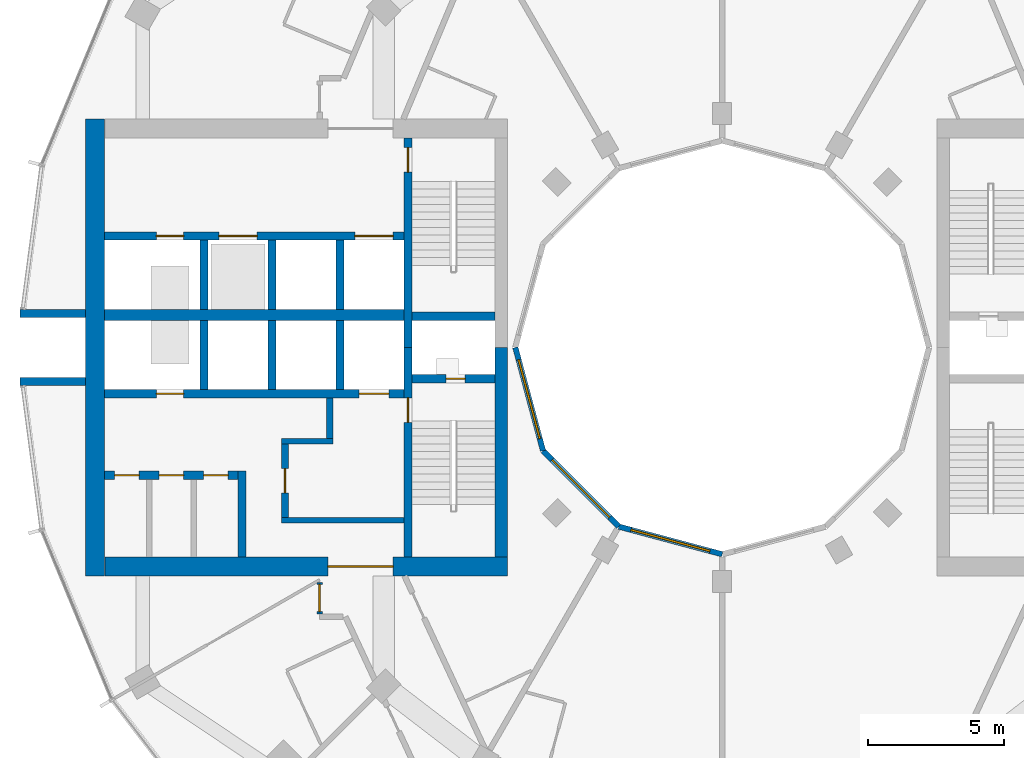
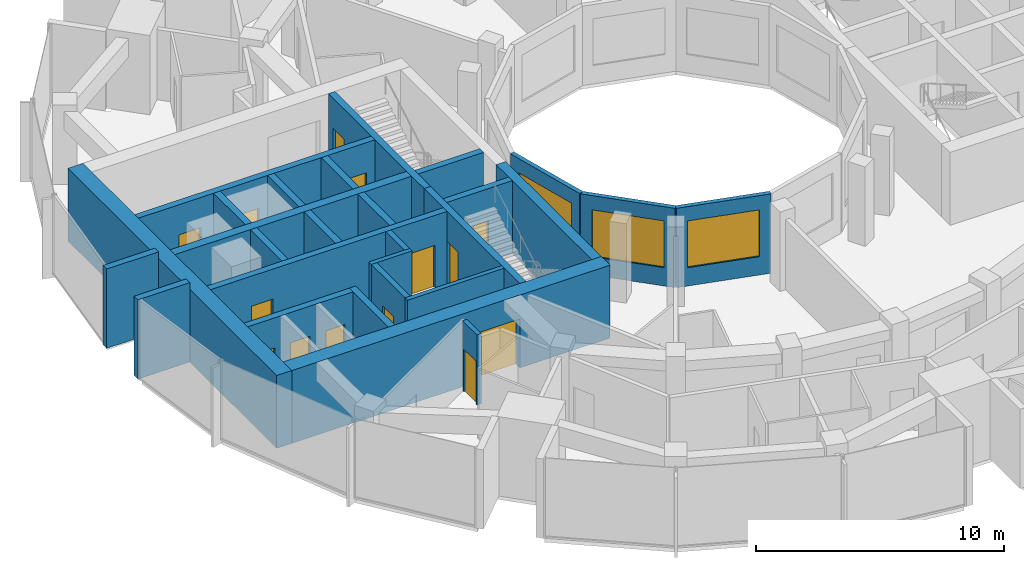
# One storey, part 9 of 15: 28 walls, 14 doors, 3 windows, 17 openings.
"""IFC4 building model written with IfcOpenShell, lengths in metres."""

from ifc_helpers import new_model, si_unit, direction, frame, frame_2d, origin, place, context, subcontext, project, spatial, rectangle, extrude, material, layer, layer_set, type_object, element, fill, save


model = new_model("IFC4")

# Units and contexts
model_context = context("Model", 3, precision=1e-05, world=origin(), true_north=direction((0.0, 1.0)))
body_context = subcontext(model_context, "Body", "Model", "MODEL_VIEW")
ifc_project = project(units=[si_unit("LENGTHUNIT", "METRE"), si_unit("AREAUNIT", "SQUARE_METRE"), si_unit("VOLUMEUNIT", "CUBIC_METRE"), si_unit("PLANEANGLEUNIT", "RADIAN"), si_unit("MASSUNIT", "GRAM", prefix="KILO")], contexts=[model_context])

# Site, building, storey
site_placement = place(None, origin())
site = spatial("IfcSite", under=ifc_project, at=site_placement, CompositionType="ELEMENT")
building_placement = place(site_placement, origin())
building = spatial("IfcBuilding", under=site, at=building_placement, Name="Torre Brocal", CompositionType="ELEMENT")
storey_placement = place(building_placement, frame((0.0, 0.0, 126.300048828125)))
storey = spatial("IfcBuildingStorey", under=building, at=storey_placement, Name="L29", CompositionType="ELEMENT", Elevation=126.300048828125)

# Walls
ifc_material_1 = material(Name="Concrete C70", Category="concrete")
ifc_layer_1 = layer(ifc_material_1, 0.199951171875)
ifc_layer_set_1 = layer_set([ifc_layer_1], Name="Concrete C70")
wall_type_1 = type_object("IfcWallType", Name="CORE WALL 200 C70", PredefinedType="SHEAR", material=ifc_layer_set_1)
wall_1_placement = place(storey_placement, frame((68.300048828125, 68.64990234375, 0.0), z_axis=(0.0, 0.0, 1.0), x_axis=(-1.0, 0.0, 0.0)))
element("IfcWall", 1, at=wall_1_placement, inside=storey, type_object=wall_type_1, Name="Wall CW200-70", PredefinedType="SHEAR", context=body_context, shape_type="SweptSolid", body=[
    extrude(rectangle(XDim=4.5, YDim=0.199951171875, at=frame_2d((2.25, 0.0))), origin(), (0.0, 0.0, 1.0), 3.579833984375),
])
wall_2_placement = place(storey_placement, frame((65.699951171875, 71.550048828125, 0.0), z_axis=(0.0, 0.0, 1.0), x_axis=(-1.0, 0.0, 0.0)))
element("IfcWall", 2, at=wall_2_placement, inside=storey, type_object=wall_type_1, Name="Wall CW200-70", PredefinedType="SHEAR", context=body_context, shape_type="SweptSolid", body=[
    extrude(rectangle(XDim=1.89990234375, YDim=0.199951171875, at=frame_2d((0.949951171875, 0.0))), origin(), (0.0, 0.0, 1.0), 3.579833984375),
])

# Wall, opening, door
ifc_material_2 = material(Name="Concrete C70", Category="concrete")
ifc_layer_2 = layer(ifc_material_2, 0.25)
ifc_layer_set_2 = layer_set([ifc_layer_2], Name="Concrete C70")
wall_type_2 = type_object("IfcWallType", Name="CORE WALL 250 C70", PredefinedType="SHEAR", material=ifc_layer_set_2)
wall_3_placement = place(storey_placement, frame((63.925048828125, 71.449951171875, 0.0), z_axis=(0.0, 0.0, 1.0), x_axis=(0.0, -1.0, 0.0)))
wall_3 = element("IfcWall", 3, at=wall_3_placement, inside=storey, type_object=wall_type_2, Name="Wall CW250-70", PredefinedType="SHEAR", context=body_context, shape_type="SweptSolid", body=[
    extrude(rectangle(XDim=2.699951171875, YDim=0.25, at=frame_2d((1.35009765625, 0.0))), origin(), (0.0, 0.0, 1.0), 3.579833984375),
])
opening_1_placement = place(wall_3_placement, frame((0.89990234375, 0.0, 0.0)))
opening_1 = element("IfcOpeningElement", 4, at=opening_1_placement, cuts=wall_3, Name="Opening W-D15", PredefinedType="OPENING", context=body_context, shape_type="SweptSolid", body=[
    extrude(rectangle(XDim=0.89990234375, YDim=2.10009765625, at=frame_2d((0.449951171875, 1.050048828125))), frame((0.0, 0.135009765625, 0.0), z_axis=(0.0, -1.0, 0.0), x_axis=(1.0, 0.0, 0.0)), (0.0, 0.0, 1.0), 0.27001953125),
])
ifc_material_3 = material(Name="Steel A653", Category="steel")
door_type_1 = type_object("IfcDoorType", Name="LOBBY DOOR FD120 900X2100", OperationType="SINGLE_SWING_RIGHT", PredefinedType="DOOR", material=ifc_material_3)
door_1_placement = place(opening_1_placement, origin())
door_1 = element("IfcDoor", 5, at=door_1_placement, inside=storey, type_object=door_type_1, Name="Door W-D15", OperationType="SINGLE_SWING_LEFT", OverallHeight=2.10009765625, OverallWidth=0.89990234375, PredefinedType="DOOR", context=body_context, shape_type="SweptSolid", body=[
    extrude(rectangle(XDim=0.89990234375, YDim=2.10009765625, at=frame_2d((0.449951171875, 1.050048828125))), frame((0.0, 0.02490234375, 0.0), z_axis=(0.0, -1.0, 0.0), x_axis=(1.0, 0.0, 0.0)), (0.0, 0.0, 1.0), 0.050048828125),
])
fill(opening_1, door_1)

# Wall
wall_4_placement = place(storey_placement, frame((65.574951171875, 73.14990234375, 0.0), z_axis=(0.0, 0.0, 1.0), x_axis=(0.0, -1.0, 0.0)))
element("IfcWall", 6, at=wall_4_placement, inside=storey, type_object=wall_type_2, Name="Wall CW250-70", PredefinedType="SHEAR", context=body_context, shape_type="SweptSolid", body=[
    extrude(rectangle(XDim=1.5, YDim=0.25, at=frame_2d((0.75, 0.0))), origin(), (0.0, 0.0, 1.0), 3.579833984375),
])

# Wall, opening, door
ifc_material_4 = material(Name="Concrete C70", Category="concrete")
ifc_layer_3 = layer(ifc_material_4, 0.300048828125)
ifc_layer_set_3 = layer_set([ifc_layer_3], Name="Concrete C70")
wall_type_3 = type_object("IfcWallType", Name="CORE WALL 300 C70", PredefinedType="SHEAR", material=ifc_layer_set_3)
wall_5_placement = place(storey_placement, frame((68.449951171875, 75.0, 0.0), z_axis=(0.0, 0.0, 1.0), x_axis=(0.0, -1.0, 0.0)))
wall_5 = element("IfcWall", 7, at=wall_5_placement, inside=storey, type_object=wall_type_3, Name="Wall CW300-70", PredefinedType="SHEAR", context=body_context, shape_type="SweptSolid", body=[
    extrude(rectangle(XDim=7.699951171875, YDim=0.300048828125, at=frame_2d((3.85009765625, 0.0))), origin(), (0.0, 0.0, 1.0), 3.579833984375),
])
opening_2_placement = place(wall_5_placement, frame((1.85009765625, 0.0, 0.0)))
opening_2 = element("IfcOpeningElement", 8, at=opening_2_placement, cuts=wall_5, Name="Opening W-D02", PredefinedType="OPENING", context=body_context, shape_type="SweptSolid", body=[
    extrude(rectangle(XDim=0.89990234375, YDim=2.10009765625, at=frame_2d((0.449951171875, 1.050048828125))), frame((0.0, 0.159912109375, 0.0), z_axis=(0.0, -1.0, 0.0), x_axis=(1.0, 0.0, 0.0)), (0.0, 0.0, 1.0), 0.320068359375),
])
ifc_material_5 = material(Name="Steel A653", Category="steel")
door_type_2 = type_object("IfcDoorType", Name="STAIR DOOR FD120 900X2100", OperationType="SINGLE_SWING_RIGHT", PredefinedType="DOOR", material=ifc_material_5)
door_2_placement = place(opening_2_placement, origin())
door_2 = element("IfcDoor", 9, at=door_2_placement, inside=storey, type_object=door_type_2, Name="Door W-D02", OperationType="SINGLE_SWING_LEFT", OverallHeight=2.10009765625, OverallWidth=0.89990234375, PredefinedType="DOOR", context=body_context, shape_type="SweptSolid", body=[
    extrude(rectangle(XDim=0.89990234375, YDim=2.10009765625, at=frame_2d((0.449951171875, 1.050048828125))), frame((0.0, 0.02490234375, 0.0), z_axis=(0.0, -1.0, 0.0), x_axis=(1.0, 0.0, 0.0)), (0.0, 0.0, 1.0), 0.050048828125),
])
fill(opening_2, door_2)

wall_6_placement = place(storey_placement, frame((68.449951171875, 82.699951171875, 0.0), z_axis=(0.0, 0.0, 1.0), x_axis=(0.0, -1.0, 0.0)))
wall_6 = element("IfcWall", 10, at=wall_6_placement, inside=storey, type_object=wall_type_3, Name="Wall CW300-70", PredefinedType="SHEAR", context=body_context, shape_type="SweptSolid", body=[
    extrude(rectangle(XDim=7.699951171875, YDim=0.300048828125, at=frame_2d((3.85009765625, 0.0))), origin(), (0.0, 0.0, 1.0), 3.579833984375),
])
opening_3_placement = place(wall_6_placement, frame((0.35009765625, 0.0, 0.0)))
opening_3 = element("IfcOpeningElement", 11, at=opening_3_placement, cuts=wall_6, Name="Opening W-D03", PredefinedType="OPENING", context=body_context, shape_type="SweptSolid", body=[
    extrude(rectangle(XDim=0.89990234375, YDim=2.10009765625, at=frame_2d((0.449951171875, 1.050048828125))), frame((0.0, 0.159912109375, 0.0), z_axis=(0.0, -1.0, 0.0), x_axis=(1.0, 0.0, 0.0)), (0.0, 0.0, 1.0), 0.320068359375),
])
door_3_placement = place(opening_3_placement, origin())
door_3 = element("IfcDoor", 12, at=door_3_placement, inside=storey, type_object=door_type_2, Name="Door W-D03", OperationType="SINGLE_SWING_LEFT", OverallHeight=2.10009765625, OverallWidth=0.89990234375, PredefinedType="DOOR", context=body_context, shape_type="SweptSolid", body=[
    extrude(rectangle(XDim=0.89990234375, YDim=2.10009765625, at=frame_2d((0.449951171875, 1.050048828125))), frame((0.0, 0.02490234375, 0.0), z_axis=(0.0, -1.0, 0.0), x_axis=(1.0, 0.0, 0.0)), (0.0, 0.0, 1.0), 0.050048828125),
])
fill(opening_3, door_3)

wall_7_placement = place(storey_placement, frame((71.64990234375, 73.85009765625, 0.0), z_axis=(0.0, 0.0, 1.0), x_axis=(-1.0, 0.0, 0.0)))
wall_7 = element("IfcWall", 13, at=wall_7_placement, inside=storey, type_object=wall_type_3, Name="Wall CW300-70", PredefinedType="SHEAR", context=body_context, shape_type="SweptSolid", body=[
    extrude(rectangle(XDim=3.0498046875, YDim=0.300048828125, at=frame_2d((1.52490234375, 0.0))), origin(), (0.0, 0.0, 1.0), 3.579833984375),
])
opening_4_placement = place(wall_7_placement, frame((1.10009765625, 0.0, 0.0)))
opening_4 = element("IfcOpeningElement", 14, at=opening_4_placement, cuts=wall_7, Name="Opening W-D01", PredefinedType="OPENING", context=body_context, shape_type="SweptSolid", body=[
    extrude(rectangle(XDim=0.699951171875, YDim=2.0, at=frame_2d((0.35009765625, 1.0))), frame((0.0, 0.159912109375, 0.0), z_axis=(0.0, -1.0, 0.0), x_axis=(1.0, 0.0, 0.0)), (0.0, 0.0, 1.0), 0.320068359375),
])
ifc_material_6 = material(Name="Steel A653", Category="steel")
door_type_3 = type_object("IfcDoorType", Name="RISER DOOR FD120 700X2000", OperationType="SINGLE_SWING_LEFT", PredefinedType="DOOR", material=ifc_material_6)
door_4_placement = place(opening_4_placement, frame((0.699951171875, 0.0, 0.0), z_axis=(0.0, 0.0, 1.0), x_axis=(-1.0, 0.0, 0.0)))
door_4 = element("IfcDoor", 15, at=door_4_placement, inside=storey, type_object=door_type_3, Name="Door W-D01", OperationType="SINGLE_SWING_RIGHT", OverallHeight=2.0, OverallWidth=0.699951171875, PredefinedType="DOOR", context=body_context, shape_type="SweptSolid", body=[
    extrude(rectangle(XDim=0.699951171875, YDim=2.0, at=frame_2d((0.35009765625, 1.0))), frame((0.0, 0.02490234375, 0.0), z_axis=(0.0, -1.0, 0.0), x_axis=(1.0, 0.0, 0.0)), (0.0, 0.0, 1.0), 0.050048828125),
])
fill(opening_4, door_4)

# Wall
wall_8_placement = place(storey_placement, frame((71.64990234375, 76.14990234375, 0.0), z_axis=(0.0, 0.0, 1.0), x_axis=(-1.0, 0.0, 0.0)))
element("IfcWall", 16, at=wall_8_placement, inside=storey, type_object=wall_type_3, Name="Wall CW300-70", PredefinedType="SHEAR", context=body_context, shape_type="SweptSolid", body=[
    extrude(rectangle(XDim=3.0498046875, YDim=0.300048828125, at=frame_2d((1.52490234375, 0.0))), origin(), (0.0, 0.0, 1.0), 3.579833984375),
])

# Wall, openings, doors
wall_9_placement = place(storey_placement, frame((68.300048828125, 73.300048828125, 0.0), z_axis=(0.0, 0.0, 1.0), x_axis=(-1.0, 0.0, 0.0)))
wall_9 = element("IfcWall", 17, at=wall_9_placement, inside=storey, type_object=wall_type_3, Name="Wall CW300-70", PredefinedType="SHEAR", context=body_context, shape_type="SweptSolid", body=[
    extrude(rectangle(XDim=11.0, YDim=0.300048828125, at=frame_2d((5.5, 0.0))), origin(), (0.0, 0.0, 1.0), 3.579833984375),
])
opening_5_placement = place(wall_9_placement, frame((0.550048828125, 0.0, 0.0)))
opening_5 = element("IfcOpeningElement", 18, at=opening_5_placement, cuts=wall_9, Name="Opening LD", PredefinedType="OPENING", context=body_context, shape_type="SweptSolid", body=[
    extrude(rectangle(XDim=1.10009765625, YDim=2.10009765625, at=frame_2d((0.550048828125, 1.050048828125))), frame((0.0, 0.159912109375, 0.0), z_axis=(0.0, -1.0, 0.0), x_axis=(1.0, 0.0, 0.0)), (0.0, 0.0, 1.0), 0.320068359375),
])
opening_6_placement = place(wall_9_placement, frame((8.10009765625, 0.0, 0.0)))
opening_6 = element("IfcOpeningElement", 19, at=opening_6_placement, cuts=wall_9, Name="Opening LD10", PredefinedType="OPENING", context=body_context, shape_type="SweptSolid", body=[
    extrude(rectangle(XDim=1.0, YDim=2.10009765625, at=frame_2d((0.5, 1.050048828125))), frame((0.0, 0.159912109375, 0.0), z_axis=(0.0, -1.0, 0.0), x_axis=(1.0, 0.0, 0.0)), (0.0, 0.0, 1.0), 0.320068359375),
])
ifc_material_7 = material(Name="Stainless steel AISI 316", Category="steel")
door_type_4 = type_object("IfcDoorType", Name="LIFT LANDING DOOR 1000X2100", OperationType="DOUBLE_DOOR_SLIDING", PredefinedType="DOOR", material=ifc_material_7)
door_5_placement = place(opening_6_placement, origin())
door_5 = element("IfcDoor", 20, at=door_5_placement, inside=storey, type_object=door_type_4, Name="Door LD10", OperationType="DOUBLE_DOOR_SLIDING", OverallHeight=2.10009765625, OverallWidth=1.0, PredefinedType="DOOR", context=body_context, shape_type="SweptSolid", body=[
    extrude(rectangle(XDim=1.0, YDim=2.10009765625, at=frame_2d((0.5, 1.050048828125))), frame((0.0, 0.02490234375, 0.0), z_axis=(0.0, -1.0, 0.0), x_axis=(1.0, 0.0, 0.0)), (0.0, 0.0, 1.0), 0.050048828125),
])
fill(opening_6, door_5)
ifc_material_8 = material(Name="Stainless steel AISI 316", Category="steel")
door_type_5 = type_object("IfcDoorType", Name="LIFT LANDING DOOR 1100X2100", OperationType="DOUBLE_DOOR_SLIDING", PredefinedType="DOOR", material=ifc_material_8)
door_6_placement = place(opening_5_placement, origin())
door_6 = element("IfcDoor", 21, at=door_6_placement, inside=storey, type_object=door_type_5, Name="Door LD", OperationType="DOUBLE_DOOR_SLIDING", OverallHeight=2.10009765625, OverallWidth=1.10009765625, PredefinedType="DOOR", context=body_context, shape_type="SweptSolid", body=[
    extrude(rectangle(XDim=1.10009765625, YDim=2.10009765625, at=frame_2d((0.550048828125, 1.050048828125))), frame((0.0, 0.02490234375, 0.0), z_axis=(0.0, -1.0, 0.0), x_axis=(1.0, 0.0, 0.0)), (0.0, 0.0, 1.0), 0.050048828125),
])
fill(opening_5, door_6)

wall_10_placement = place(storey_placement, frame((68.300048828125, 79.10009765625, 0.0), z_axis=(0.0, 0.0, 1.0), x_axis=(-1.0, 0.0, 0.0)))
wall_10 = element("IfcWall", 22, at=wall_10_placement, inside=storey, type_object=wall_type_3, Name="Wall CW300-70", PredefinedType="SHEAR", context=body_context, shape_type="SweptSolid", body=[
    extrude(rectangle(XDim=11.0, YDim=0.300048828125, at=frame_2d((5.5, 0.0))), origin(), (0.0, 0.0, 1.0), 3.579833984375),
])
opening_7_placement = place(wall_10_placement, frame((0.39990234375, 0.0, 0.0)))
opening_7 = element("IfcOpeningElement", 23, at=opening_7_placement, cuts=wall_10, Name="Opening LD14", PredefinedType="OPENING", context=body_context, shape_type="SweptSolid", body=[
    extrude(rectangle(XDim=1.39990234375, YDim=2.10009765625, at=frame_2d((0.699951171875, 1.050048828125))), frame((0.0, 0.159912109375, 0.0), z_axis=(0.0, -1.0, 0.0), x_axis=(1.0, 0.0, 0.0)), (0.0, 0.0, 1.0), 0.320068359375),
])
opening_8_placement = place(wall_10_placement, frame((5.39990234375, 0.0, 0.0)))
opening_8 = element("IfcOpeningElement", 24, at=opening_8_placement, cuts=wall_10, Name="Opening LD14", PredefinedType="OPENING", context=body_context, shape_type="SweptSolid", body=[
    extrude(rectangle(XDim=1.39990234375, YDim=2.10009765625, at=frame_2d((0.699951171875, 1.050048828125))), frame((0.0, 0.159912109375, 0.0), z_axis=(0.0, -1.0, 0.0), x_axis=(1.0, 0.0, 0.0)), (0.0, 0.0, 1.0), 0.320068359375),
])
opening_9_placement = place(wall_10_placement, frame((8.10009765625, 0.0, 0.0)))
opening_9 = element("IfcOpeningElement", 25, at=opening_9_placement, cuts=wall_10, Name="Opening LD10", PredefinedType="OPENING", context=body_context, shape_type="SweptSolid", body=[
    extrude(rectangle(XDim=1.0, YDim=2.10009765625, at=frame_2d((0.5, 1.050048828125))), frame((0.0, 0.159912109375, 0.0), z_axis=(0.0, -1.0, 0.0), x_axis=(1.0, 0.0, 0.0)), (0.0, 0.0, 1.0), 0.320068359375),
])
door_7_placement = place(opening_9_placement, origin())
door_7 = element("IfcDoor", 26, at=door_7_placement, inside=storey, type_object=door_type_4, Name="Door LD10", OperationType="DOUBLE_DOOR_SLIDING", OverallHeight=2.10009765625, OverallWidth=1.0, PredefinedType="DOOR", context=body_context, shape_type="SweptSolid", body=[
    extrude(rectangle(XDim=1.0, YDim=2.10009765625, at=frame_2d((0.5, 1.050048828125))), frame((0.0, 0.02490234375, 0.0), z_axis=(0.0, -1.0, 0.0), x_axis=(1.0, 0.0, 0.0)), (0.0, 0.0, 1.0), 0.050048828125),
])
fill(opening_9, door_7)
ifc_material_9 = material(Name="Stainless steel AISI 316", Category="steel")
door_type_6 = type_object("IfcDoorType", Name="LIFT LANDING DOOR 1400X2100", OperationType="DOUBLE_DOOR_SLIDING", PredefinedType="DOOR", material=ifc_material_9)
door_8_placement = place(opening_7_placement, origin())
door_8 = element("IfcDoor", 27, at=door_8_placement, inside=storey, type_object=door_type_6, Name="Door LD14", OperationType="DOUBLE_DOOR_SLIDING", OverallHeight=2.10009765625, OverallWidth=1.39990234375, PredefinedType="DOOR", context=body_context, shape_type="SweptSolid", body=[
    extrude(rectangle(XDim=1.39990234375, YDim=2.10009765625, at=frame_2d((0.699951171875, 1.050048828125))), frame((0.0, 0.02490234375, 0.0), z_axis=(0.0, -1.0, 0.0), x_axis=(1.0, 0.0, 0.0)), (0.0, 0.0, 1.0), 0.050048828125),
])
fill(opening_7, door_8)
door_9_placement = place(opening_8_placement, origin())
door_9 = element("IfcDoor", 28, at=door_9_placement, inside=storey, type_object=door_type_6, Name="Door LD14", OperationType="DOUBLE_DOOR_SLIDING", OverallHeight=2.10009765625, OverallWidth=1.39990234375, PredefinedType="DOOR", context=body_context, shape_type="SweptSolid", body=[
    extrude(rectangle(XDim=1.39990234375, YDim=2.10009765625, at=frame_2d((0.699951171875, 1.050048828125))), frame((0.0, 0.02490234375, 0.0), z_axis=(0.0, -1.0, 0.0), x_axis=(1.0, 0.0, 0.0)), (0.0, 0.0, 1.0), 0.050048828125),
])
fill(opening_8, door_9)

# Walls
for number, where, z_axis, x_axis, name in (
    (29, (65.949951171875, 76.0, 0.0), (0.0, 0.0, 1.0), (0.0, -1.0, 0.0), "Wall CW300-70"),
    (30, (63.449951171875, 76.0, 0.0), (0.0, 0.0, 1.0), (0.0, -1.0, 0.0), "Wall CW300-70"),
    (31, (60.949951171875, 76.0, 0.0), (0.0, 0.0, 1.0), (0.0, -1.0, 0.0), "Wall CW300-70"),
    (32, (65.949951171875, 78.949951171875, 0.0), (0.0, 0.0, 1.0), (0.0, -1.0, 0.0), "Wall CW300-70"),
    (33, (63.449951171875, 78.949951171875, 0.0), (0.0, 0.0, 1.0), (0.0, -1.0, 0.0), "Wall CW300-70"),
    (34, (60.949951171875, 78.949951171875, 0.0), (0.0, 0.0, 1.0), (0.0, -1.0, 0.0), "Wall CW300-70"),
):
    element("IfcWall", number, at=place(storey_placement, frame(where, z_axis=z_axis, x_axis=x_axis)), inside=storey, type_object=wall_type_3, Name=name, PredefinedType="SHEAR", context=body_context, shape_type="SweptSolid", body=[
        extrude(rectangle(XDim=2.550048828125, YDim=0.300048828125, at=frame_2d((1.27490234375, 0.0))), origin(), (0.0, 0.0, 1.0), 3.579833984375),
    ])
wall_11_placement = place(storey_placement, frame((62.35009765625, 70.449951171875, 0.0), z_axis=(0.0, 0.0, 1.0), x_axis=(0.0, -1.0, 0.0)))
element("IfcWall", 35, at=wall_11_placement, inside=storey, type_object=wall_type_3, Name="Wall CW300-70", PredefinedType="SHEAR", context=body_context, shape_type="SweptSolid", body=[
    extrude(rectangle(XDim=3.14990234375, YDim=0.300048828125, at=frame_2d((1.574951171875, 0.0))), origin(), (0.0, 0.0, 1.0), 3.579833984375),
])

# Wall, openings, doors
wall_12_placement = place(storey_placement, frame((62.199951171875, 70.300048828125, 0.0), z_axis=(0.0, 0.0, 1.0), x_axis=(-1.0, 0.0, 0.0)))
wall_12 = element("IfcWall", 36, at=wall_12_placement, inside=storey, type_object=wall_type_3, Name="Wall CW300-70", PredefinedType="SHEAR", context=body_context, shape_type="SweptSolid", body=[
    extrude(rectangle(XDim=4.89990234375, YDim=0.300048828125, at=frame_2d((2.449951171875, 0.0))), origin(), (0.0, 0.0, 1.0), 3.579833984375),
])
opening_10_placement = place(wall_12_placement, frame((0.36669921875, 0.0, 0.0)))
opening_10 = element("IfcOpeningElement", 37, at=opening_10_placement, cuts=wall_12, Name="Opening W-D05", PredefinedType="OPENING", context=body_context, shape_type="SweptSolid", body=[
    extrude(rectangle(XDim=0.89990234375, YDim=2.10009765625, at=frame_2d((0.449951171875, 1.050048828125))), frame((0.0, 0.159912109375, 0.0), z_axis=(0.0, -1.0, 0.0), x_axis=(1.0, 0.0, 0.0)), (0.0, 0.0, 1.0), 0.320068359375),
])
opening_11_placement = place(wall_12_placement, frame((2.0, 0.0, 0.0)))
opening_11 = element("IfcOpeningElement", 38, at=opening_11_placement, cuts=wall_12, Name="Opening W-D06", PredefinedType="OPENING", context=body_context, shape_type="SweptSolid", body=[
    extrude(rectangle(XDim=0.89990234375, YDim=2.10009765625, at=frame_2d((0.449951171875, 1.050048828125))), frame((0.0, 0.159912109375, 0.0), z_axis=(0.0, -1.0, 0.0), x_axis=(1.0, 0.0, 0.0)), (0.0, 0.0, 1.0), 0.320068359375),
])
opening_12_placement = place(wall_12_placement, frame((3.63330078125, 0.0, 0.0)))
opening_12 = element("IfcOpeningElement", 39, at=opening_12_placement, cuts=wall_12, Name="Opening W-D07", PredefinedType="OPENING", context=body_context, shape_type="SweptSolid", body=[
    extrude(rectangle(XDim=0.89990234375, YDim=2.10009765625, at=frame_2d((0.449951171875, 1.050048828125))), frame((0.0, 0.159912109375, 0.0), z_axis=(0.0, -1.0, 0.0), x_axis=(1.0, 0.0, 0.0)), (0.0, 0.0, 1.0), 0.320068359375),
])
ifc_material_10 = material(Name="Steel A653", Category="steel")
door_type_7 = type_object("IfcDoorType", Name="ROOM DOOR FD30S 900X2100", OperationType="SINGLE_SWING_LEFT", PredefinedType="DOOR", material=ifc_material_10)
door_10_placement = place(opening_10_placement, origin())
door_10 = element("IfcDoor", 40, at=door_10_placement, inside=storey, type_object=door_type_7, Name="Door W-D05", OperationType="SINGLE_SWING_RIGHT", OverallHeight=2.10009765625, OverallWidth=0.89990234375, PredefinedType="DOOR", context=body_context, shape_type="SweptSolid", body=[
    extrude(rectangle(XDim=0.89990234375, YDim=2.10009765625, at=frame_2d((0.449951171875, 1.050048828125))), frame((0.0, 0.02490234375, 0.0), z_axis=(0.0, -1.0, 0.0), x_axis=(1.0, 0.0, 0.0)), (0.0, 0.0, 1.0), 0.050048828125),
])
fill(opening_10, door_10)
door_11_placement = place(opening_11_placement, origin())
door_11 = element("IfcDoor", 41, at=door_11_placement, inside=storey, type_object=door_type_7, Name="Door W-D06", OperationType="SINGLE_SWING_LEFT", OverallHeight=2.10009765625, OverallWidth=0.89990234375, PredefinedType="DOOR", context=body_context, shape_type="SweptSolid", body=[
    extrude(rectangle(XDim=0.89990234375, YDim=2.10009765625, at=frame_2d((0.449951171875, 1.050048828125))), frame((0.0, 0.02490234375, 0.0), z_axis=(0.0, -1.0, 0.0), x_axis=(1.0, 0.0, 0.0)), (0.0, 0.0, 1.0), 0.050048828125),
])
fill(opening_11, door_11)
door_12_placement = place(opening_12_placement, origin())
door_12 = element("IfcDoor", 42, at=door_12_placement, inside=storey, type_object=door_type_7, Name="Door W-D07", OperationType="SINGLE_SWING_LEFT", OverallHeight=2.10009765625, OverallWidth=0.89990234375, PredefinedType="DOOR", context=body_context, shape_type="SweptSolid", body=[
    extrude(rectangle(XDim=0.89990234375, YDim=2.10009765625, at=frame_2d((0.449951171875, 1.050048828125))), frame((0.0, 0.02490234375, 0.0), z_axis=(0.0, -1.0, 0.0), x_axis=(1.0, 0.0, 0.0)), (0.0, 0.0, 1.0), 0.050048828125),
])
fill(opening_12, door_12)

# Walls
ifc_material_11 = material(Name="Concrete C70", Category="concrete")
ifc_layer_4 = layer(ifc_material_11, 0.39990234375)
ifc_layer_set_4 = layer_set([ifc_layer_4], Name="Concrete C70")
wall_type_4 = type_object("IfcWallType", Name="CORE WALL 400 C70", PredefinedType="SHEAR", material=ifc_layer_set_4)
wall_13_placement = place(storey_placement, frame((68.300048828125, 76.199951171875, 0.0), z_axis=(0.0, 0.0, 1.0), x_axis=(-1.0, 0.0, 0.0)))
element("IfcWall", 43, at=wall_13_placement, inside=storey, type_object=wall_type_4, Name="Wall CW400-70", PredefinedType="SHEAR", context=body_context, shape_type="SweptSolid", body=[
    extrude(rectangle(XDim=11.0, YDim=0.39990234375, at=frame_2d((5.5, 0.0))), origin(), (0.0, 0.0, 1.0), 3.579833984375),
])
ifc_material_12 = material(Name="Concrete C70", Category="concrete")
ifc_layer_5 = layer(ifc_material_12, 0.449951171875)
ifc_layer_set_5 = layer_set([ifc_layer_5], Name="Concrete C70")
wall_type_5 = type_object("IfcWallType", Name="CORE WALL 450 C70", PredefinedType="SHEAR", material=ifc_layer_set_5)
wall_14_placement = place(storey_placement, frame((71.875, 75.0, 0.0), z_axis=(0.0, 0.0, 1.0), x_axis=(0.0, -1.0, 0.0)))
element("IfcWall", 44, at=wall_14_placement, inside=storey, type_object=wall_type_5, Name="Wall CW450-70", PredefinedType="SHEAR", context=body_context, shape_type="SweptSolid", body=[
    extrude(rectangle(XDim=7.699951171875, YDim=0.449951171875, at=frame_2d((3.85009765625, 0.0))), origin(), (0.0, 0.0, 1.0), 3.579833984375),
])

# Wall, opening, door
ifc_material_13 = material(Name="Concrete C70", Category="concrete")
ifc_layer_6 = layer(ifc_material_13, 0.699951171875)
ifc_layer_set_6 = layer_set([ifc_layer_6], Name="Concrete C70")
wall_type_6 = type_object("IfcWallType", Name="CORE WALL 700 C70", PredefinedType="SHEAR", material=ifc_layer_set_6)
wall_15_placement = place(storey_placement, frame((72.10009765625, 66.949951171875, 0.0), z_axis=(0.0, 0.0, 1.0), x_axis=(-1.0, 0.0, 0.0)))
wall_15 = element("IfcWall", 45, at=wall_15_placement, inside=storey, type_object=wall_type_6, Name="Wall CW700-70", PredefinedType="SHEAR", context=body_context, shape_type="SweptSolid", body=[
    extrude(rectangle(XDim=14.800048828125, YDim=0.699951171875, at=frame_2d((7.39990234375, 0.0))), origin(), (0.0, 0.0, 1.0), 3.579833984375),
])
opening_13_placement = place(wall_15_placement, frame((4.199951171875, 0.0, 0.0)))
opening_13 = element("IfcOpeningElement", 46, at=opening_13_placement, cuts=wall_15, Name="Opening W-D27", PredefinedType="OPENING", context=body_context, shape_type="SweptSolid", body=[
    extrude(rectangle(XDim=2.39990234375, YDim=2.39990234375, at=frame_2d((1.199951171875, 1.199951171875))), frame((0.0, 0.35986328125, 0.0), z_axis=(0.0, -1.0, 0.0), x_axis=(1.0, 0.0, 0.0)), (0.0, 0.0, 1.0), 0.719970703125),
])
ifc_material_14 = material(Name="Steel A653", Category="steel")
door_type_8 = type_object("IfcDoorType", Name="DOUBLE FIRE DOOR FD90 2400X2400", OperationType="DOUBLE_DOOR_SINGLE_SWING", PredefinedType="DOOR", material=ifc_material_14)
door_13_placement = place(opening_13_placement, frame((2.39990234375, 0.0, 0.0), z_axis=(0.0, 0.0, 1.0), x_axis=(-1.0, 0.0, 0.0)))
door_13 = element("IfcDoor", 47, at=door_13_placement, inside=storey, type_object=door_type_8, Name="Door W-D27", OperationType="DOUBLE_DOOR_SINGLE_SWING", OverallHeight=2.39990234375, OverallWidth=2.39990234375, PredefinedType="DOOR", context=body_context, shape_type="SweptSolid", body=[
    extrude(rectangle(XDim=2.39990234375, YDim=2.39990234375, at=frame_2d((1.199951171875, 1.199951171875))), frame((0.0, 0.02490234375, 0.0), z_axis=(0.0, -1.0, 0.0), x_axis=(1.0, 0.0, 0.0)), (0.0, 0.0, 1.0), 0.050048828125),
])
fill(opening_13, door_13)

# Walls
wall_16_placement = place(storey_placement, frame((56.949951171875, 83.39990234375, 0.0), z_axis=(0.0, 0.0, 1.0), x_axis=(0.0, -1.0, 0.0)))
element("IfcWall", 48, at=wall_16_placement, inside=storey, type_object=wall_type_6, Name="Wall CW700-70", PredefinedType="SHEAR", context=body_context, shape_type="SweptSolid", body=[
    extrude(rectangle(XDim=16.7998046875, YDim=0.699951171875, at=frame_2d((8.39990234375, 0.0))), origin(), (0.0, 0.0, 1.0), 3.579833984375),
])
ifc_material_15 = material(Name="Concrete C70", Category="concrete")
ifc_layer_7 = layer(ifc_material_15, 0.300048828125)
ifc_layer_set_7 = layer_set([ifc_layer_7], Name="Concrete C70")
wall_type_7 = type_object("IfcWallType", Name="NOTCH RETURN WALL 300 C70", PredefinedType="NOTDEFINED", material=ifc_layer_set_7)
for number, where, z_axis, x_axis, name in (
    (49, (56.60009765625, 76.25, 0.0), (0.0, 0.0, 1.0), (-1.0, 0.0, 0.0), "NOTCH RETURN WALL"),
    (50, (56.60009765625, 73.75, 0.0), (0.0, 0.0, 1.0), (-1.0, 0.0, 0.0), "NOTCH RETURN WALL"),
):
    element("IfcWall", number, at=place(storey_placement, frame(where, z_axis=z_axis, x_axis=x_axis)), inside=storey, type_object=wall_type_7, Name=name, PredefinedType="NOTDEFINED", context=body_context, shape_type="SweptSolid", body=[
        extrude(rectangle(XDim=2.415771484375, YDim=0.300048828125, at=frame_2d((1.2080078125, 0.0))), origin(), (0.0, 0.0, 1.0), 3.89990234375),
    ])

# Wall, opening, door
ifc_material_16 = material(Name="Gypsum board", Category="Gypsum")
ifc_layer_8 = layer(ifc_material_16, 0.199951171875)
ifc_layer_set_8 = layer_set([ifc_layer_8], Name="Gypsum board")
wall_type_8 = type_object("IfcWallType", Name="PARTITION 200 EI60", PredefinedType="PARTITIONING", material=ifc_layer_set_8)
wall_17_placement = place(storey_placement, frame((65.199951171875, 65.199951171875, 0.0), z_axis=(0.0, 0.0, 1.0), x_axis=(0.0, 1.0, 0.0)))
wall_17 = element("IfcWall", 51, at=wall_17_placement, inside=storey, type_object=wall_type_8, Name="GUESTROOM CORRIDOR WALL", PredefinedType="PARTITIONING", context=body_context, shape_type="SweptSolid", body=[
    extrude(rectangle(XDim=1.150146484375, YDim=0.199951171875, at=frame_2d((0.5751953125, 0.0))), origin(), (0.0, 0.0, 1.0), 3.449951171875),
])
opening_14_placement = place(wall_17_placement, frame((0.08740234375, 0.0, 0.0)))
opening_14 = element("IfcOpeningElement", 52, at=opening_14_placement, cuts=wall_17, Name="Opening E02-D38", PredefinedType="OPENING", context=body_context, shape_type="SweptSolid", body=[
    extrude(rectangle(XDim=1.0, YDim=2.10009765625, at=frame_2d((0.5, 1.050048828125))), frame((0.0, 0.10986328125, 0.0), z_axis=(0.0, -1.0, 0.0), x_axis=(1.0, 0.0, 0.0)), (0.0, 0.0, 1.0), 0.219970703125),
])
ifc_material_17 = material(Name="Timber", Category="wood")
door_type_9 = type_object("IfcDoorType", Name="FLAT ENTRY DOOR FD30S 1000X2100", OperationType="SINGLE_SWING_RIGHT", PredefinedType="DOOR", material=ifc_material_17)
door_14_placement = place(opening_14_placement, origin())
door_14 = element("IfcDoor", 53, at=door_14_placement, inside=storey, type_object=door_type_9, Name="E02-D38", OperationType="SINGLE_SWING_LEFT", OverallHeight=2.10009765625, OverallWidth=1.0, PredefinedType="DOOR", context=body_context, shape_type="SweptSolid", body=[
    extrude(rectangle(XDim=1.0, YDim=2.10009765625, at=frame_2d((0.5, 1.050048828125))), frame((0.0, 0.02490234375, 0.0), z_axis=(0.0, -1.0, 0.0), x_axis=(1.0, 0.0, 0.0)), (0.0, 0.0, 1.0), 0.050048828125),
])
fill(opening_14, door_14)

# Wall, opening, window
ifc_material_18 = material(Name="Concrete C40", Category="concrete")
ifc_layer_9 = layer(ifc_material_18, 0.199951171875)
ifc_layer_set_9 = layer_set([ifc_layer_9], Name="Concrete C40")
wall_type_9 = type_object("IfcWallType", Name="WELL FACADE WALL 200", PredefinedType="NOTDEFINED", material=ifc_layer_set_9)
wall_18_placement = place(storey_placement, frame((72.396484375, 75.0, 0.0), z_axis=(0.0, 0.0, 1.0), x_axis=(0.258789828301, -0.965933654434, 0.0)))
wall_18 = element("IfcWall", 54, at=wall_18_placement, inside=storey, type_object=wall_type_9, Name="WELL FACADE WALL", PredefinedType="NOTDEFINED", context=body_context, shape_type="SweptSolid", body=[
    extrude(rectangle(XDim=3.935791015625, YDim=0.199951171875, at=frame_2d((1.9677734375, 0.0))), origin(), (0.0, 0.0, 1.0), 3.89990234375),
])
opening_15_placement = place(wall_18_placement, frame((0.468017578125, 0.0, 0.89990234375)))
opening_15 = element("IfcOpeningElement", 55, at=opening_15_placement, cuts=wall_18, Name="Opening W1", PredefinedType="OPENING", context=body_context, shape_type="SweptSolid", body=[
    extrude(rectangle(XDim=3.0, YDim=2.300048828125, at=frame_2d((1.5, 1.14990234375))), frame((0.0, 0.10986328125, 0.0), z_axis=(0.0, -1.0, 0.0), x_axis=(1.0, 0.0, 0.0)), (0.0, 0.0, 1.0), 0.219970703125),
])
ifc_material_19 = material(Name="Aluminium and glass", Category="aluminium")
window_type = type_object("IfcWindowType", Name="WELL WINDOW 3000X2300", PartitioningType="SINGLE_PANEL", PredefinedType="WINDOW", material=ifc_material_19)
window_1_placement = place(opening_15_placement, origin())
window_1 = element("IfcWindow", 56, at=window_1_placement, inside=storey, type_object=window_type, Name="WELL WINDOW 3000X2300", OverallHeight=2.300048828125, OverallWidth=3.0, PartitioningType="SINGLE_PANEL", PredefinedType="WINDOW", context=body_context, shape_type="SweptSolid", body=[
    extrude(rectangle(XDim=3.0, YDim=2.300048828125, at=frame_2d((1.5, 1.14990234375))), frame((0.0, 0.030029296875, 0.0), z_axis=(0.0, -1.0, 0.0), x_axis=(1.0, 0.0, 0.0)), (0.0, 0.0, 1.0), 0.06005859375),
])
fill(opening_15, window_1)

wall_19_placement = place(storey_placement, frame((73.4150390625, 71.1982421875, 0.0), z_axis=(0.0, 0.0, 1.0), x_axis=(0.707106781187, -0.707106781187, 0.0)))
wall_19 = element("IfcWall", 57, at=wall_19_placement, inside=storey, type_object=wall_type_9, Name="WELL FACADE WALL", PredefinedType="NOTDEFINED", context=body_context, shape_type="SweptSolid", body=[
    extrude(rectangle(XDim=3.93603515625, YDim=0.199951171875, at=frame_2d((1.968017578125, 0.0))), origin(), (0.0, 0.0, 1.0), 3.89990234375),
])
opening_16_placement = place(wall_19_placement, frame((0.468017578125, 0.0, 0.89990234375)))
opening_16 = element("IfcOpeningElement", 58, at=opening_16_placement, cuts=wall_19, Name="Opening W1", PredefinedType="OPENING", context=body_context, shape_type="SweptSolid", body=[
    extrude(rectangle(XDim=3.0, YDim=2.300048828125, at=frame_2d((1.5, 1.14990234375))), frame((0.0, 0.10986328125, 0.0), z_axis=(0.0, -1.0, 0.0), x_axis=(1.0, 0.0, 0.0)), (0.0, 0.0, 1.0), 0.219970703125),
])
window_2_placement = place(opening_16_placement, origin())
window_2 = element("IfcWindow", 59, at=window_2_placement, inside=storey, type_object=window_type, Name="WELL WINDOW 3000X2300", OverallHeight=2.300048828125, OverallWidth=3.0, PartitioningType="SINGLE_PANEL", PredefinedType="WINDOW", context=body_context, shape_type="SweptSolid", body=[
    extrude(rectangle(XDim=3.0, YDim=2.300048828125, at=frame_2d((1.5, 1.14990234375))), frame((0.0, 0.030029296875, 0.0), z_axis=(0.0, -1.0, 0.0), x_axis=(1.0, 0.0, 0.0)), (0.0, 0.0, 1.0), 0.06005859375),
])
fill(opening_16, window_2)

wall_20_placement = place(storey_placement, frame((76.1982421875, 68.4150390625, 0.0), z_axis=(0.0, 0.0, 1.0), x_axis=(0.965933654434, -0.258789828301, 0.0)))
wall_20 = element("IfcWall", 60, at=wall_20_placement, inside=storey, type_object=wall_type_9, Name="WELL FACADE WALL", PredefinedType="NOTDEFINED", context=body_context, shape_type="SweptSolid", body=[
    extrude(rectangle(XDim=3.935791015625, YDim=0.199951171875, at=frame_2d((1.9677734375, 0.0))), origin(), (0.0, 0.0, 1.0), 3.89990234375),
])
opening_17_placement = place(wall_20_placement, frame((0.468017578125, 0.0, 0.89990234375)))
opening_17 = element("IfcOpeningElement", 61, at=opening_17_placement, cuts=wall_20, Name="Opening W1", PredefinedType="OPENING", context=body_context, shape_type="SweptSolid", body=[
    extrude(rectangle(XDim=3.0, YDim=2.300048828125, at=frame_2d((1.5, 1.14990234375))), frame((0.0, 0.10986328125, 0.0), z_axis=(0.0, -1.0, 0.0), x_axis=(1.0, 0.0, 0.0)), (0.0, 0.0, 1.0), 0.219970703125),
])
window_3_placement = place(opening_17_placement, origin())
window_3 = element("IfcWindow", 62, at=window_3_placement, inside=storey, type_object=window_type, Name="WELL WINDOW 3000X2300", OverallHeight=2.300048828125, OverallWidth=3.0, PartitioningType="SINGLE_PANEL", PredefinedType="WINDOW", context=body_context, shape_type="SweptSolid", body=[
    extrude(rectangle(XDim=3.0, YDim=2.300048828125, at=frame_2d((1.5, 1.14990234375))), frame((0.0, 0.030029296875, 0.0), z_axis=(0.0, -1.0, 0.0), x_axis=(1.0, 0.0, 0.0)), (0.0, 0.0, 1.0), 0.06005859375),
])
fill(opening_17, window_3)

save(model, "model.ifc")
